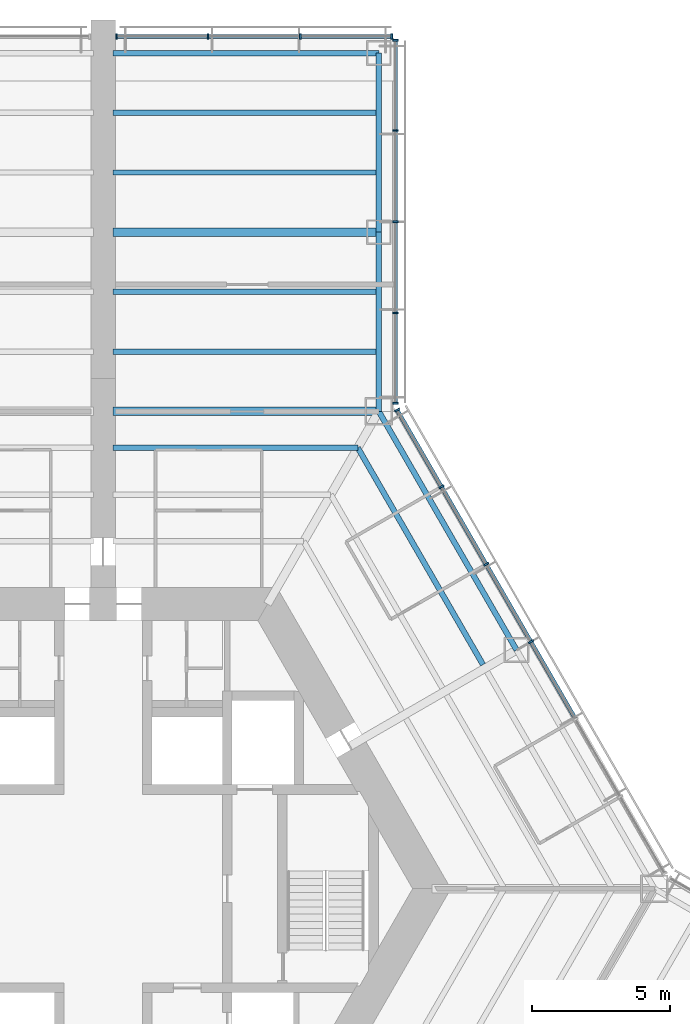
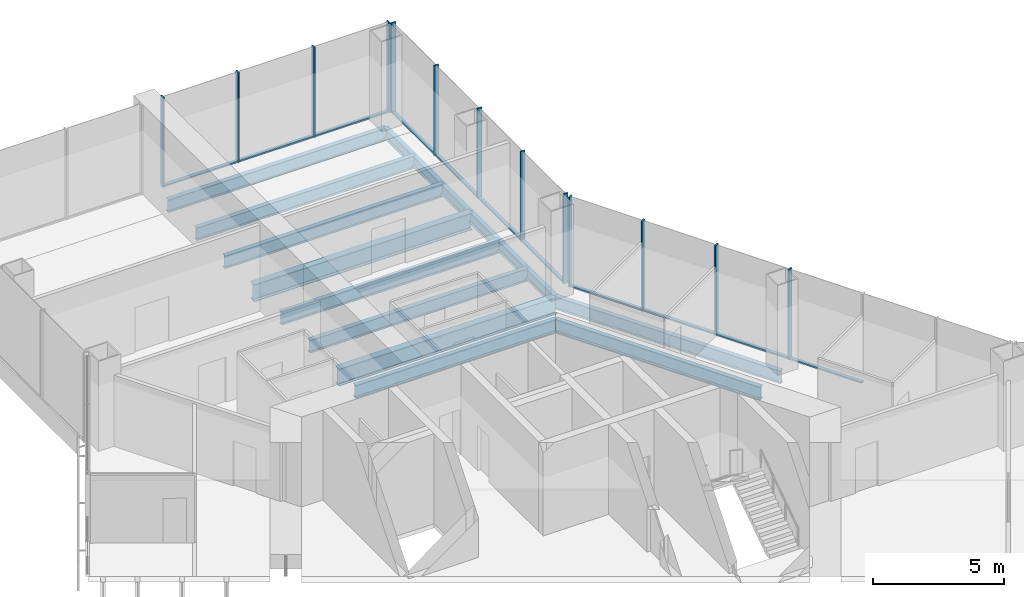
# One storey, part 7 of 17: 24 members, 12 beams, 3 elements without a shape of their own.
"""IFC4 building model written with IfcOpenShell, lengths in metres."""

import ifcopenshell
import ifcopenshell.guid

model = None  # the IFC model being written
_history = None  # IfcOwnerHistory: only IFC2X3 demands one
_inside = {}  # id of a spatial element -> (the spatial element, [elements in it])
_under = {}  # id of a project, library or spatial element -> (it, [spatial elements below it])
_declared = {}  # id of a project -> (the project, [libraries it declares])
_typed = {}  # id of a type object -> (the type object, [elements of that type])
_made_of = {}  # id of a material, layer set ... -> (it, [elements and type objects made of it])


def new_model(schema):
    """Start an empty IFC model of exactly this schema.

    Asked for "IFC4X3", IfcOpenShell would pick the latest addendum, in which some entities
    have other attributes; the version numbers below select the first issue.
    IFC2X3 requires an IfcOwnerHistory on every rooted entity: one is made here for all.
    """
    global model, _history
    if schema == "IFC4X3":
        model = ifcopenshell.file(schema_version=(4, 3, 0, 0))
    else:
        model = ifcopenshell.file(schema=schema)
    _inside.clear()
    _under.clear()
    _declared.clear()
    _typed.clear()
    _made_of.clear()
    _history = None
    if model.schema == "IFC2X3":
        org = make("IfcOrganization", Name="unknown")
        user = make(
            "IfcPersonAndOrganization",
            ThePerson=make("IfcPerson", FamilyName="unknown"),
            TheOrganization=org,
        )
        app = make(
            "IfcApplication",
            ApplicationDeveloper=org,
            Version="unknown",
            ApplicationFullName="unknown",
            ApplicationIdentifier="unknown",
        )
        _history = make(
            "IfcOwnerHistory",
            OwningUser=user,
            OwningApplication=app,
            ChangeAction="ADDED",
            CreationDate=0,
        )
    return model


def make(cls, **values):
    """One entity of the class cls with the attributes given. An attribute that is None is left unset."""
    return model.create_entity(
        cls, **{name: value for name, value in values.items() if value is not None}
    )


def rooted(cls, **values):
    """An entity with a GlobalId (a new one), such as an element, a storey or a relation."""
    return make(cls, GlobalId=ifcopenshell.guid.new(), OwnerHistory=_history, **values)


def si_unit(unit_type, name, prefix=None):
    """IfcSIUnit, for example si_unit("LENGTHUNIT", "METRE", prefix="MILLI")."""
    return make("IfcSIUnit", UnitType=unit_type, Prefix=prefix, Name=name)


def assignment(units):
    """IfcUnitAssignment: the units of a project."""
    return None if units is None else make("IfcUnitAssignment", Units=units)


def point(xyz):
    """IfcCartesianPoint."""
    return None if xyz is None else make("IfcCartesianPoint", Coordinates=xyz)


def direction(xyz):
    """IfcDirection."""
    return None if xyz is None else make("IfcDirection", DirectionRatios=xyz)


def frame(location, z_axis=None, x_axis=None):
    """IfcAxis2Placement3D, a coordinate frame: its origin and axes. An axis left out is left unset."""
    return make(
        "IfcAxis2Placement3D",
        Location=point(location),
        Axis=direction(z_axis),
        RefDirection=direction(x_axis),
    )


def frame_2d(location, x_axis=None):
    """IfcAxis2Placement2D, a coordinate frame in the plane: its origin and x axis."""
    return make(
        "IfcAxis2Placement2D", Location=point(location), RefDirection=direction(x_axis)
    )


def origin():
    """The frame at (0, 0, 0) with its axes left unset."""
    return frame((0.0, 0.0, 0.0))


def origin_2d():
    """The frame at (0, 0) in the plane with its x axis left unset."""
    return frame_2d((0.0, 0.0))


def place(relative_to, where):
    """IfcLocalPlacement: puts the frame where relative to a parent placement (None: the world)."""
    return make(
        "IfcLocalPlacement", PlacementRelTo=relative_to, RelativePlacement=where
    )


def context(
    kind, dimensions, precision=None, world=None, true_north=None, identifier=None
):
    """IfcGeometricRepresentationContext, for example the 3D "Model" context."""
    return make(
        "IfcGeometricRepresentationContext",
        ContextIdentifier=identifier,
        ContextType=kind,
        CoordinateSpaceDimension=dimensions,
        Precision=precision,
        WorldCoordinateSystem=world,
        TrueNorth=true_north,
    )


def subcontext(parent, identifier, kind, view, scale=None):
    """IfcGeometricRepresentationSubContext, for example "Body" below "Model"."""
    return make(
        "IfcGeometricRepresentationSubContext",
        ContextIdentifier=identifier,
        ContextType=kind,
        ParentContext=parent,
        TargetScale=scale,
        TargetView=view,
    )


def project(units=None, contexts=None):
    """IfcProject with its units and contexts."""
    return rooted(
        "IfcProject",
        Name="project",
        RepresentationContexts=contexts,
        UnitsInContext=assignment(units),
    )


def spatial(cls, under=None, at=None, **own):
    """A site, building, storey or space (cls), placed at a placement, below another one or the project."""
    s = rooted(cls, ObjectPlacement=at, **own)
    if under is not None:
        _under.setdefault(under.id(), (under, []))[1].append(s)
    return s


def profile(cls, at=None, kind="AREA", **sizes):
    """A parametric profile (cls). Its sizes go by their IFC names, for example OverallWidth=200.0."""
    return make(cls, ProfileType=kind, Position=at, **sizes)


def rectangle(**sizes):
    """IfcRectangleProfileDef."""
    return profile("IfcRectangleProfileDef", **sizes)


def i_section(**sizes):
    """IfcIShapeProfileDef."""
    return profile("IfcIShapeProfileDef", **sizes)


def extrude(swept, where, along, depth):
    """IfcExtrudedAreaSolid: the profile swept, set in the frame where, extruded along a direction by depth."""
    return make(
        "IfcExtrudedAreaSolid",
        SweptArea=swept,
        Position=where,
        ExtrudedDirection=direction(along),
        Depth=depth,
    )


def shape(context_of_items, identifier, shape_type, items):
    """IfcShapeRepresentation: the items that make up one representation, for example the "Body"."""
    return make(
        "IfcShapeRepresentation",
        ContextOfItems=context_of_items,
        RepresentationIdentifier=identifier,
        RepresentationType=shape_type,
        Items=items,
    )


def material(Name=None, Category=None):
    """IfcMaterial."""
    return make("IfcMaterial", Name=Name, Category=Category)


def material_profile(
    of_material, cross_section, Name=None, Category=None, Priority=None
):
    """IfcMaterialProfile: a cross section and its material."""
    return make(
        "IfcMaterialProfile",
        Name=Name,
        Material=of_material,
        Profile=cross_section,
        Priority=Priority,
        Category=Category,
    )


def profile_set(profiles, Name=None, composite=None):
    """IfcMaterialProfileSet."""
    return make(
        "IfcMaterialProfileSet",
        Name=Name,
        MaterialProfiles=profiles,
        CompositeProfile=composite,
    )


def made_of(thing, what):
    """Note that an element or type object is made of a material, layer set ...; save() writes the relation."""
    if what is not None:
        _made_of.setdefault(what.id(), (what, []))[1].append(thing)
    return thing


def type_object(cls, material=None, **own):
    """A type object (cls), such as IfcWallType, which elements share."""
    return made_of(rooted(cls, **own), material)


def element(
    cls,
    number,
    at=None,
    inside=None,
    cuts=None,
    type_object=None,
    material=None,
    context=None,
    identifier="Body",
    shape_type=None,
    held_by="IfcProductDefinitionShape",
    body=None,
    shapes=None,
    **own,
):
    """One element of the class cls, such as IfcWall. Its Tag is "e" and its number.

    at: its placement. inside: the storey or other place that contains it. cuts: it is an
    opening in that element (IfcRelVoidsElement). A single representation is given by context,
    identifier, shape_type and body (its items); several are given by shapes. held_by: the class
    of the entity that holds the representations. save() writes the other relations.
    """
    e = rooted(cls, Tag="e%d" % number, ObjectPlacement=at, **own)
    if body is not None:
        shapes = [shape(context, identifier, shape_type, body)]
    if shapes is not None:
        e.Representation = make(held_by, Representations=shapes)
    if inside is not None:
        _inside.setdefault(inside.id(), (inside, []))[1].append(e)
    if cuts is not None:
        rooted(
            "IfcRelVoidsElement", RelatingBuildingElement=cuts, RelatedOpeningElement=e
        )
    if type_object is not None:
        _typed.setdefault(type_object.id(), (type_object, []))[1].append(e)
    return made_of(e, material)


def aggregate(whole, parts):
    """IfcRelAggregates: a whole, such as a stair, and the parts it consists of."""
    return rooted("IfcRelAggregates", RelatingObject=whole, RelatedObjects=parts)


def save(model, path):
    """Write the relations noted so far, then the file.

    IfcRelAggregates (storeys below a building ...), IfcRelContainedInSpatialStructure (elements
    in a storey), IfcRelDefinesByType, IfcRelAssociatesMaterial and IfcRelDeclares: one each for
    every whole, place, type object, material and project.
    """
    for whole, parts in _under.values():
        aggregate(whole, parts)
    for where, things in _inside.values():
        rooted(
            "IfcRelContainedInSpatialStructure",
            RelatedElements=things,
            RelatingStructure=where,
        )
    for kind, things in _typed.values():
        rooted("IfcRelDefinesByType", RelatedObjects=things, RelatingType=kind)
    for what, things in _made_of.values():
        rooted("IfcRelAssociatesMaterial", RelatedObjects=things, RelatingMaterial=what)
    for by, libraries in _declared.values():
        rooted("IfcRelDeclares", RelatingContext=by, RelatedDefinitions=libraries)
    model.write(path)


model = new_model("IFC4")

# Units and contexts
model_context = context("Model", 3, precision=1e-05, world=origin(), true_north=direction((0.0, 1.0)))
body_context = subcontext(model_context, "Body", "Model", "MODEL_VIEW")
ifc_project = project(units=[si_unit("LENGTHUNIT", "METRE"), si_unit("AREAUNIT", "SQUARE_METRE"), si_unit("VOLUMEUNIT", "CUBIC_METRE"), si_unit("PLANEANGLEUNIT", "RADIAN"), si_unit("MASSUNIT", "GRAM", prefix="KILO")], contexts=[model_context])

# Site, building, storey
site_placement = place(None, origin())
site = spatial("IfcSite", under=ifc_project, at=site_placement, CompositionType="ELEMENT")
building_placement = place(site_placement, origin())
building = spatial("IfcBuilding", under=site, at=building_placement, Name="Kasaneha Research Tower", CompositionType="ELEMENT")
storey_placement = place(building_placement, frame((0.0, 0.0, 43.60009765625)))
storey = spatial("IfcBuildingStorey", under=building, at=storey_placement, Name="L11", CompositionType="ELEMENT", Elevation=43.60009765625)

# Beams
ifc_material_1 = material(Name="Steel SN490B", Category="steel")
ifc_material_profile_1 = material_profile(ifc_material_1, i_section(OverallWidth=0.199951171875, OverallDepth=0.60009765625, WebThickness=0.010986328125, FlangeThickness=0.01708984375, FilletRadius=0.012939453125, at=origin_2d()), Name="H-600x200x11x17")
ifc_profile_set_1 = profile_set([ifc_material_profile_1], Name="Steel SN490B")
beam_type_1 = type_object("IfcBeamType", Name="B1-2 secondary beam H-600x200x11x17", PredefinedType="JOIST", material=ifc_profile_set_1)
beam_1_placement = place(storey_placement, frame((9.237548828125, 16.0, -0.47021484375), z_axis=(0.500010814234, -0.866019160093, 0.0), x_axis=(0.866019160093, 0.500010814234, 0.0)))
element("IfcBeam", 1, at=beam_1_placement, inside=storey, type_object=beam_type_1, Name="Secondary beam RS030R3 L11", PredefinedType="JOIST", context=body_context, shape_type="SweptSolid", body=[
    extrude(i_section(OverallWidth=0.199951171875, OverallDepth=0.60009765625, WebThickness=0.010986328125, FlangeThickness=0.01708984375, FilletRadius=0.012939453125, at=origin_2d()), origin(), (0.0, 0.0, 1.0), 9.087646484375),
])
beam_2_placement = place(storey_placement, frame((9.237548828125, 16.0, -0.47021484375), z_axis=(-1.0, 0.0, 0.0), x_axis=(0.0, -1.0, 0.0)))
element("IfcBeam", 2, at=beam_2_placement, inside=storey, type_object=beam_type_1, Name="Secondary beam RS090L3 L11", PredefinedType="JOIST", context=body_context, shape_type="SweptSolid", body=[
    extrude(i_section(OverallWidth=0.199951171875, OverallDepth=0.60009765625, WebThickness=0.010986328125, FlangeThickness=0.01708984375, FilletRadius=0.012939453125, at=origin_2d()), origin(), (0.0, 0.0, 1.0), 8.887451171875),
])
ifc_material_2 = material(Name="Steel SN490B", Category="steel")
ifc_material_profile_2 = material_profile(ifc_material_2, i_section(OverallWidth=0.198974609375, OverallDepth=0.595947265625, WebThickness=0.010009765625, FlangeThickness=0.014892578125, FilletRadius=0.012939453125, at=origin_2d()), Name="H-596x199x10x15")
ifc_profile_set_2 = profile_set([ifc_material_profile_2], Name="Steel SN490B")
beam_type_2 = type_object("IfcBeamType", Name="B2-2 secondary beam H-596x199x10x15", PredefinedType="JOIST", material=ifc_profile_set_2)
for number, where, z_axis, x_axis, name in (
    (3, (10.0, 19.487060546875, -0.468017578125), (-1.0, 0.0, 0.0), (0.0, -1.0, 0.0), "Secondary beam WBAP1 L11"),
    (4, (10.0, 21.65380859375, -0.468017578125), (-1.0, 0.0, 0.0), (0.0, -1.0, 0.0), "Secondary beam WBAP2 L11"),
    (5, (10.0, 25.987060546875, -0.468017578125), (-1.0, 0.0, 0.0), (0.0, -1.0, 0.0), "Secondary beam WBAP3 L11"),
    (6, (10.0, 28.15380859375, -0.468017578125), (-1.0, 0.0, 0.0), (0.0, -1.0, 0.0), "Secondary beam WBAP4 L11"),
):
    element("IfcBeam", number, at=place(storey_placement, frame(where, z_axis=z_axis, x_axis=x_axis)), inside=storey, type_object=beam_type_2, Name=name, PredefinedType="JOIST", context=body_context, shape_type="SweptSolid", body=[
        extrude(i_section(OverallWidth=0.198974609375, OverallDepth=0.595947265625, WebThickness=0.010009765625, FlangeThickness=0.014892578125, FilletRadius=0.012939453125, at=origin_2d()), origin(), (0.0, 0.0, 1.0), 9.64990234375),
    ])

# Curtain wall, members
ifc_material_3 = material(Name="Glass and aluminium", Category="aluminium")
curtain_wall_type = type_object("IfcCurtainWallType", Name="Dry laboratory curtain wall", PredefinedType="USERDEFINED", material=ifc_material_3)
curtain_wall_1_placement = place(storey_placement, origin())
curtain_wall_1 = element("IfcCurtainWall", 7, at=curtain_wall_1_placement, inside=storey, type_object=curtain_wall_type, Name="CW-L2 L11 run 07a", ObjectType="UNITISED CURTAIN WALL", PredefinedType="USERDEFINED")
ifc_material_4 = material(Name="Aluminium 6063-T6", Category="aluminium")
ifc_material_profile_3 = material_profile(ifc_material_4, rectangle(XDim=0.06494140625, YDim=0.199951171875, at=origin_2d()), Name="CW-L2 mullion 65x200")
ifc_profile_set_3 = profile_set([ifc_material_profile_3], Name="Aluminium 6063-T6")
member_type_1 = type_object("IfcMemberType", Name="CW-L2 mullion", PredefinedType="MULLION", material=ifc_profile_set_3)
member_1_placement = place(storey_placement, frame((15.51953125, 8.960205078125, 0.0), z_axis=(0.0, 0.0, 1.0), x_axis=(-0.49999996188, 0.866025425793, 0.0)))
member_1 = element("IfcMember", 8, at=member_1_placement, type_object=member_type_1, Name="CW-L2 mullion 4", PredefinedType="MULLION", context=body_context, shape_type="SweptSolid", body=[
    extrude(rectangle(XDim=0.06494140625, YDim=0.199951171875, at=origin_2d()), origin(), (0.0, 0.0, 1.0), 4.199951171875),
])
member_2_placement = place(storey_placement, frame((13.896484375, 11.771728515625, 0.0), z_axis=(0.0, 0.0, 1.0), x_axis=(-0.49999996188, 0.866025425793, 0.0)))
member_2 = element("IfcMember", 9, at=member_2_placement, type_object=member_type_1, Name="CW-L2 mullion 5", PredefinedType="MULLION", context=body_context, shape_type="SweptSolid", body=[
    extrude(rectangle(XDim=0.06494140625, YDim=0.199951171875, at=origin_2d()), origin(), (0.0, 0.0, 1.0), 4.199951171875),
])
member_3_placement = place(storey_placement, frame((12.273193359375, 14.583251953125, 0.0), z_axis=(0.0, 0.0, 1.0), x_axis=(-0.49999996188, 0.866025425793, 0.0)))
member_3 = element("IfcMember", 10, at=member_3_placement, type_object=member_type_1, Name="CW-L2 mullion 6", PredefinedType="MULLION", context=body_context, shape_type="SweptSolid", body=[
    extrude(rectangle(XDim=0.06494140625, YDim=0.199951171875, at=origin_2d()), origin(), (0.0, 0.0, 1.0), 4.199951171875),
])
member_4_placement = place(storey_placement, frame((10.666259765625, 17.366455078125, 0.0), z_axis=(0.0, 0.0, 1.0), x_axis=(-0.49999996188, 0.866025425793, 0.0)))
member_4 = element("IfcMember", 11, at=member_4_placement, type_object=member_type_1, Name="CW-L2 mullion 7", PredefinedType="MULLION", context=body_context, shape_type="SweptSolid", body=[
    extrude(rectangle(XDim=0.06494140625, YDim=0.199951171875, at=origin_2d()), origin(), (0.0, 0.0, 1.0), 4.199951171875),
])

curtain_wall_2_placement = place(storey_placement, origin())
curtain_wall_2 = element("IfcCurtainWall", 12, at=curtain_wall_2_placement, inside=storey, type_object=curtain_wall_type, Name="CW-L2 L11 run 08a", ObjectType="UNITISED CURTAIN WALL", PredefinedType="USERDEFINED")
member_5_placement = place(storey_placement, frame((10.60009765625, 17.61376953125, 0.0), z_axis=(0.0, 0.0, 1.0), x_axis=(0.0, 1.0, 0.0)))
member_5 = element("IfcMember", 13, at=member_5_placement, type_object=member_type_1, Name="CW-L2 mullion 1", PredefinedType="MULLION", context=body_context, shape_type="SweptSolid", body=[
    extrude(rectangle(XDim=0.06494140625, YDim=0.199951171875, at=origin_2d()), origin(), (0.0, 0.0, 1.0), 4.199951171875),
])
member_6_placement = place(storey_placement, frame((10.60009765625, 20.89111328125, 0.0), z_axis=(0.0, 0.0, 1.0), x_axis=(0.0, 1.0, 0.0)))
member_6 = element("IfcMember", 14, at=member_6_placement, type_object=member_type_1, Name="CW-L2 mullion 2", PredefinedType="MULLION", context=body_context, shape_type="SweptSolid", body=[
    extrude(rectangle(XDim=0.06494140625, YDim=0.199951171875, at=origin_2d()), origin(), (0.0, 0.0, 1.0), 4.199951171875),
])
member_7_placement = place(storey_placement, frame((10.60009765625, 24.200927734375, 0.0), z_axis=(0.0, 0.0, 1.0), x_axis=(0.0, 1.0, 0.0)))
member_7 = element("IfcMember", 15, at=member_7_placement, type_object=member_type_1, Name="CW-L2 mullion 3", PredefinedType="MULLION", context=body_context, shape_type="SweptSolid", body=[
    extrude(rectangle(XDim=0.06494140625, YDim=0.199951171875, at=origin_2d()), origin(), (0.0, 0.0, 1.0), 4.199951171875),
])
member_8_placement = place(storey_placement, frame((10.60009765625, 27.5107421875, 0.0), z_axis=(0.0, 0.0, 1.0), x_axis=(0.0, 1.0, 0.0)))
member_8 = element("IfcMember", 16, at=member_8_placement, type_object=member_type_1, Name="CW-L2 mullion 4", PredefinedType="MULLION", context=body_context, shape_type="SweptSolid", body=[
    extrude(rectangle(XDim=0.06494140625, YDim=0.199951171875, at=origin_2d()), origin(), (0.0, 0.0, 1.0), 4.199951171875),
])
member_9_placement = place(storey_placement, frame((10.60009765625, 30.7880859375, 0.0), z_axis=(0.0, 0.0, 1.0), x_axis=(0.0, 1.0, 0.0)))
member_9 = element("IfcMember", 17, at=member_9_placement, type_object=member_type_1, Name="CW-L2 mullion 5", PredefinedType="MULLION", context=body_context, shape_type="SweptSolid", body=[
    extrude(rectangle(XDim=0.06494140625, YDim=0.199951171875, at=origin_2d()), origin(), (0.0, 0.0, 1.0), 4.199951171875),
])

curtain_wall_3_placement = place(storey_placement, origin())
curtain_wall_3 = element("IfcCurtainWall", 18, at=curtain_wall_3_placement, inside=storey, type_object=curtain_wall_type, Name="CW-L2 L11 run 09a", ObjectType="UNITISED CURTAIN WALL", PredefinedType="USERDEFINED")
member_10_placement = place(storey_placement, frame((10.467529296875, 30.92041015625, 0.0), z_axis=(0.0, 0.0, 1.0), x_axis=(-1.0, 0.0, 0.0)))
member_10 = element("IfcMember", 19, at=member_10_placement, type_object=member_type_1, Name="CW-L2 mullion 1", PredefinedType="MULLION", context=body_context, shape_type="SweptSolid", body=[
    extrude(rectangle(XDim=0.06494140625, YDim=0.199951171875, at=origin_2d()), origin(), (0.0, 0.0, 1.0), 4.199951171875),
])
member_11_placement = place(storey_placement, frame((7.14990234375, 30.92041015625, 0.0), z_axis=(0.0, 0.0, 1.0), x_axis=(-1.0, 0.0, 0.0)))
member_11 = element("IfcMember", 20, at=member_11_placement, type_object=member_type_1, Name="CW-L2 mullion 2", PredefinedType="MULLION", context=body_context, shape_type="SweptSolid", body=[
    extrude(rectangle(XDim=0.06494140625, YDim=0.199951171875, at=origin_2d()), origin(), (0.0, 0.0, 1.0), 4.199951171875),
])
member_12_placement = place(storey_placement, frame((3.800048828125, 30.92041015625, 0.0), z_axis=(0.0, 0.0, 1.0), x_axis=(-1.0, 0.0, 0.0)))
member_12 = element("IfcMember", 21, at=member_12_placement, type_object=member_type_1, Name="CW-L2 mullion 3", PredefinedType="MULLION", context=body_context, shape_type="SweptSolid", body=[
    extrude(rectangle(XDim=0.06494140625, YDim=0.199951171875, at=origin_2d()), origin(), (0.0, 0.0, 1.0), 4.199951171875),
])
member_13_placement = place(storey_placement, frame((0.482421875, 30.92041015625, 0.0), z_axis=(0.0, 0.0, 1.0), x_axis=(-1.0, 0.0, 0.0)))
member_13 = element("IfcMember", 22, at=member_13_placement, type_object=member_type_1, Name="CW-L2 mullion 4", PredefinedType="MULLION", context=body_context, shape_type="SweptSolid", body=[
    extrude(rectangle(XDim=0.06494140625, YDim=0.199951171875, at=origin_2d()), origin(), (0.0, 0.0, 1.0), 4.199951171875),
])

# Member
ifc_material_5 = material(Name="Aluminium 6063-T6", Category="aluminium")
ifc_material_profile_4 = material_profile(ifc_material_5, rectangle(XDim=0.14990234375, YDim=0.06494140625, at=origin_2d()), Name="CW-L2 transom 150x65")
ifc_profile_set_4 = profile_set([ifc_material_profile_4], Name="Aluminium 6063-T6")
member_type_2 = type_object("IfcMemberType", Name="CW-L2 transom", PredefinedType="USERDEFINED", material=ifc_profile_set_4)
member_14_placement = place(storey_placement, frame((17.12646484375, 6.177001953125, 0.032470703125), z_axis=(-0.499977104415, 0.866038622153, 0.0), x_axis=(-0.866038622153, -0.499977104415, 0.0)))
member_14 = element("IfcMember", 23, at=member_14_placement, type_object=member_type_2, Name="CW-L2 transom 3", ObjectType="TRANSOM", PredefinedType="USERDEFINED", context=body_context, shape_type="SweptSolid", body=[
    extrude(rectangle(XDim=0.14990234375, YDim=0.06494140625, at=origin_2d()), origin(), (0.0, 0.0, 1.0), 3.181396484375),
])

member_15_placement = place(storey_placement, frame((15.50341796875, 8.98828125, 0.032470703125), z_axis=(-0.500001430823, 0.866024577697, 0.0), x_axis=(-0.866024577697, -0.500001430823, 0.0)))
member_15 = element("IfcMember", 24, at=member_15_placement, type_object=member_type_2, Name="CW-L2 transom 4", ObjectType="TRANSOM", PredefinedType="USERDEFINED", context=body_context, shape_type="SweptSolid", body=[
    extrude(rectangle(XDim=0.14990234375, YDim=0.06494140625, at=origin_2d()), origin(), (0.0, 0.0, 1.0), 3.181640625),
])

member_16_placement = place(storey_placement, frame((13.880126953125, 11.7998046875, 0.032470703125), z_axis=(-0.499943876812, 0.866057804098, 0.0), x_axis=(-0.866057804098, -0.499943876812, 0.0)))
member_16 = element("IfcMember", 25, at=member_16_placement, type_object=member_type_2, Name="CW-L2 transom 5", ObjectType="TRANSOM", PredefinedType="USERDEFINED", context=body_context, shape_type="SweptSolid", body=[
    extrude(rectangle(XDim=0.14990234375, YDim=0.06494140625, at=origin_2d()), origin(), (0.0, 0.0, 1.0), 3.181396484375),
])

member_17_placement = place(storey_placement, frame((12.2568359375, 14.611328125, 0.032470703125), z_axis=(-0.499941702305, 0.866059059358, 0.0), x_axis=(-0.866059059358, -0.499941702305, 0.0)))
member_17 = element("IfcMember", 26, at=member_17_placement, type_object=member_type_2, Name="CW-L2 transom 6", ObjectType="TRANSOM", PredefinedType="USERDEFINED", context=body_context, shape_type="SweptSolid", body=[
    extrude(rectangle(XDim=0.14990234375, YDim=0.06494140625, at=origin_2d()), origin(), (0.0, 0.0, 1.0), 3.14892578125),
])

aggregate(curtain_wall_1, [member_1, member_2, member_3, member_4, member_14, member_15, member_16, member_17])

member_18_placement = place(storey_placement, frame((10.60009765625, 17.646240234375, 0.032470703125), z_axis=(0.0, 1.0, 0.0), x_axis=(-1.0, 0.0, 0.0)))
member_18 = element("IfcMember", 27, at=member_18_placement, type_object=member_type_2, Name="CW-L2 transom 1", ObjectType="TRANSOM", PredefinedType="USERDEFINED", context=body_context, shape_type="SweptSolid", body=[
    extrude(rectangle(XDim=0.14990234375, YDim=0.06494140625, at=origin_2d()), origin(), (0.0, 0.0, 1.0), 3.21240234375),
])

member_19_placement = place(storey_placement, frame((10.60009765625, 20.923583984375, 0.032470703125), z_axis=(0.0, 1.0, 0.0), x_axis=(-1.0, 0.0, 0.0)))
member_19 = element("IfcMember", 28, at=member_19_placement, type_object=member_type_2, Name="CW-L2 transom 2", ObjectType="TRANSOM", PredefinedType="USERDEFINED", context=body_context, shape_type="SweptSolid", body=[
    extrude(rectangle(XDim=0.14990234375, YDim=0.06494140625, at=origin_2d()), origin(), (0.0, 0.0, 1.0), 3.244873046875),
])

member_20_placement = place(storey_placement, frame((10.60009765625, 24.2333984375, 0.032470703125), z_axis=(0.0, 1.0, 0.0), x_axis=(-1.0, 0.0, 0.0)))
member_20 = element("IfcMember", 29, at=member_20_placement, type_object=member_type_2, Name="CW-L2 transom 3", ObjectType="TRANSOM", PredefinedType="USERDEFINED", context=body_context, shape_type="SweptSolid", body=[
    extrude(rectangle(XDim=0.14990234375, YDim=0.06494140625, at=origin_2d()), origin(), (0.0, 0.0, 1.0), 3.244873046875),
])

member_21_placement = place(storey_placement, frame((10.60009765625, 27.543212890625, 0.032470703125), z_axis=(0.0, 1.0, 0.0), x_axis=(-1.0, 0.0, 0.0)))
member_21 = element("IfcMember", 30, at=member_21_placement, type_object=member_type_2, Name="CW-L2 transom 4", ObjectType="TRANSOM", PredefinedType="USERDEFINED", context=body_context, shape_type="SweptSolid", body=[
    extrude(rectangle(XDim=0.14990234375, YDim=0.06494140625, at=origin_2d()), origin(), (0.0, 0.0, 1.0), 3.21240234375),
])

aggregate(curtain_wall_2, [member_5, member_6, member_7, member_8, member_9, member_18, member_19, member_20, member_21])

member_22_placement = place(storey_placement, frame((10.43505859375, 30.92041015625, 0.032470703125), z_axis=(-1.0, 0.0, 0.0), x_axis=(0.0, -1.0, 0.0)))
member_22 = element("IfcMember", 31, at=member_22_placement, type_object=member_type_2, Name="CW-L2 transom 1", ObjectType="TRANSOM", PredefinedType="USERDEFINED", context=body_context, shape_type="SweptSolid", body=[
    extrude(rectangle(XDim=0.14990234375, YDim=0.06494140625, at=origin_2d()), origin(), (0.0, 0.0, 1.0), 3.25244140625),
])

member_23_placement = place(storey_placement, frame((7.117431640625, 30.92041015625, 0.032470703125), z_axis=(-1.0, 0.0, 0.0), x_axis=(0.0, -1.0, 0.0)))
member_23 = element("IfcMember", 32, at=member_23_placement, type_object=member_type_2, Name="CW-L2 transom 2", ObjectType="TRANSOM", PredefinedType="USERDEFINED", context=body_context, shape_type="SweptSolid", body=[
    extrude(rectangle(XDim=0.14990234375, YDim=0.06494140625, at=origin_2d()), origin(), (0.0, 0.0, 1.0), 3.284912109375),
])

member_24_placement = place(storey_placement, frame((3.767578125, 30.92041015625, 0.032470703125), z_axis=(-1.0, 0.0, 0.0), x_axis=(0.0, -1.0, 0.0)))
member_24 = element("IfcMember", 33, at=member_24_placement, type_object=member_type_2, Name="CW-L2 transom 3", ObjectType="TRANSOM", PredefinedType="USERDEFINED", context=body_context, shape_type="SweptSolid", body=[
    extrude(rectangle(XDim=0.14990234375, YDim=0.06494140625, at=origin_2d()), origin(), (0.0, 0.0, 1.0), 3.252685546875),
])

aggregate(curtain_wall_3, [member_10, member_11, member_12, member_13, member_22, member_23, member_24])

# Beams
ifc_material_6 = material(Name="Steel SN490B", Category="steel")
ifc_material_profile_5 = material_profile(ifc_material_6, i_section(OverallWidth=0.300048828125, OverallDepth=0.7919921875, WebThickness=0.013916015625, FlangeThickness=0.02197265625, FilletRadius=0.01806640625, at=origin_2d()), Name="H-792x300x14x22")
ifc_profile_set_5 = profile_set([ifc_material_profile_5], Name="Steel SN490B")
beam_type_3 = type_object("IfcBeamType", Name="G3-2 plate edge girder H-792x300x14x22", PredefinedType="BEAM", material=ifc_profile_set_5)
beam_3_placement = place(storey_placement, frame((10.0, 17.320556640625, -0.566162109375), z_axis=(-1.0, 0.0, 0.0), x_axis=(0.0, -1.0, 0.0)))
element("IfcBeam", 34, at=beam_3_placement, inside=storey, type_object=beam_type_3, Name="Plate edge girder PEAP L11", PredefinedType="BEAM", context=body_context, shape_type="SweptSolid", body=[
    extrude(i_section(OverallWidth=0.300048828125, OverallDepth=0.7919921875, WebThickness=0.013916015625, FlangeThickness=0.02197265625, FilletRadius=0.01806640625, at=origin_2d()), origin(), (0.0, 0.0, 1.0), 9.64990234375),
])
ifc_material_7 = material(Name="Steel SN490B", Category="steel")
ifc_material_profile_6 = material_profile(ifc_material_7, i_section(OverallWidth=0.300048828125, OverallDepth=0.800048828125, WebThickness=0.013916015625, FlangeThickness=0.02587890625, FilletRadius=0.01806640625, at=origin_2d()), Name="H-800x300x14x26")
ifc_profile_set_6 = profile_set([ifc_material_profile_6], Name="Steel SN490B")
beam_type_4 = type_object("IfcBeamType", Name="G4-2 wing girder H-800x300x14x26", PredefinedType="BEAM", material=ifc_profile_set_6)
beam_4_placement = place(storey_placement, frame((10.0, 23.820556640625, -0.570068359375), z_axis=(-1.0, 0.0, 0.0), x_axis=(0.0, -1.0, 0.0)))
element("IfcBeam", 35, at=beam_4_placement, inside=storey, type_object=beam_type_4, Name="Wing girder WGAP L11", PredefinedType="BEAM", context=body_context, shape_type="SweptSolid", body=[
    extrude(i_section(OverallWidth=0.300048828125, OverallDepth=0.800048828125, WebThickness=0.013916015625, FlangeThickness=0.02587890625, FilletRadius=0.01806640625, at=origin_2d()), origin(), (0.0, 0.0, 1.0), 9.64990234375),
])
ifc_material_8 = material(Name="Steel SN490B", Category="steel")
ifc_material_profile_7 = material_profile(ifc_material_8, i_section(OverallWidth=0.199951171875, OverallDepth=0.60009765625, WebThickness=0.010986328125, FlangeThickness=0.01708984375, FilletRadius=0.012939453125, at=origin_2d()), Name="H-600x200x11x17")
ifc_profile_set_7 = profile_set([ifc_material_profile_7], Name="Steel SN490B")
beam_type_5 = type_object("IfcBeamType", Name="SB1-2 spandrel beam H-600x200x11x17", PredefinedType="SPANDREL", material=ifc_profile_set_7)
beam_5_placement = place(storey_placement, frame((10.0, 17.320556640625, -0.47021484375), z_axis=(0.499993662806, -0.866029062534, 0.0), x_axis=(0.866029062534, 0.499993662806, 0.0)))
element("IfcBeam", 36, at=beam_5_placement, inside=storey, type_object=beam_type_5, Name="Spandrel beam SR030R L11", PredefinedType="SPANDREL", context=body_context, shape_type="SweptSolid", body=[
    extrude(i_section(OverallWidth=0.199951171875, OverallDepth=0.60009765625, WebThickness=0.010986328125, FlangeThickness=0.01708984375, FilletRadius=0.012939453125, at=origin_2d()), origin(), (0.0, 0.0, 1.0), 10.000244140625),
])
ifc_material_9 = material(Name="Steel SN490B", Category="steel")
ifc_material_profile_8 = material_profile(ifc_material_9, i_section(OverallWidth=0.199951171875, OverallDepth=0.5, WebThickness=0.010009765625, FlangeThickness=0.01611328125, FilletRadius=0.012939453125, at=origin_2d()), Name="H-500x200x10x16")
ifc_profile_set_8 = profile_set([ifc_material_profile_8], Name="Steel SN490B")
beam_type_6 = type_object("IfcBeamType", Name="SB2-2 spandrel beam H-500x200x10x16", PredefinedType="SPANDREL", material=ifc_profile_set_8)
for number, where, z_axis, x_axis, name in (
    (37, (10.0, 17.320556640625, -0.420166015625), (0.0, 1.0, 0.0), (-1.0, 0.0, 0.0), "Spandrel beam WSAP1 L11"),
    (38, (10.0, 23.820556640625, -0.420166015625), (0.0, 1.0, 0.0), (-1.0, 0.0, 0.0), "Spandrel beam WSAP2 L11"),
):
    element("IfcBeam", number, at=place(storey_placement, frame(where, z_axis=z_axis, x_axis=x_axis)), inside=storey, type_object=beam_type_6, Name=name, PredefinedType="SPANDREL", context=body_context, shape_type="SweptSolid", body=[
        extrude(i_section(OverallWidth=0.199951171875, OverallDepth=0.5, WebThickness=0.010009765625, FlangeThickness=0.01611328125, FilletRadius=0.012939453125, at=origin_2d()), origin(), (0.0, 0.0, 1.0), 6.5),
    ])
ifc_material_10 = material(Name="Steel SN490B", Category="steel")
ifc_material_profile_9 = material_profile(ifc_material_10, i_section(OverallWidth=0.199951171875, OverallDepth=0.60009765625, WebThickness=0.010986328125, FlangeThickness=0.01708984375, FilletRadius=0.012939453125, at=origin_2d()), Name="H-600x200x11x17")
ifc_profile_set_9 = profile_set([ifc_material_profile_9], Name="Steel SN490B")
beam_type_7 = type_object("IfcBeamType", Name="SB3-2 spandrel beam H-600x200x11x17", PredefinedType="SPANDREL", material=ifc_profile_set_9)
beam_6_placement = place(storey_placement, frame((10.0, 30.320556640625, -0.47021484375), z_axis=(-1.0, 0.0, 0.0), x_axis=(0.0, -1.0, 0.0)))
element("IfcBeam", 39, at=beam_6_placement, inside=storey, type_object=beam_type_7, Name="Spandrel beam WTAP L11", PredefinedType="SPANDREL", context=body_context, shape_type="SweptSolid", body=[
    extrude(i_section(OverallWidth=0.199951171875, OverallDepth=0.60009765625, WebThickness=0.010986328125, FlangeThickness=0.01708984375, FilletRadius=0.012939453125, at=origin_2d()), origin(), (0.0, 0.0, 1.0), 9.64990234375),
])

save(model, "model.ifc")
